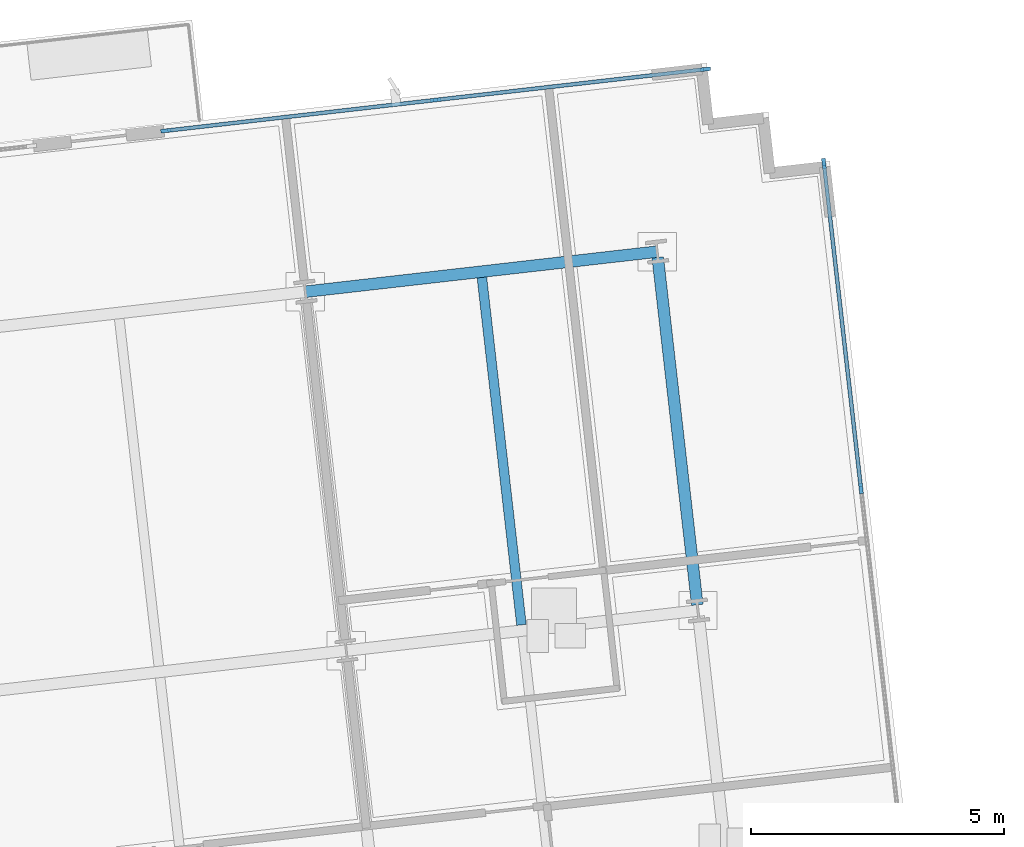
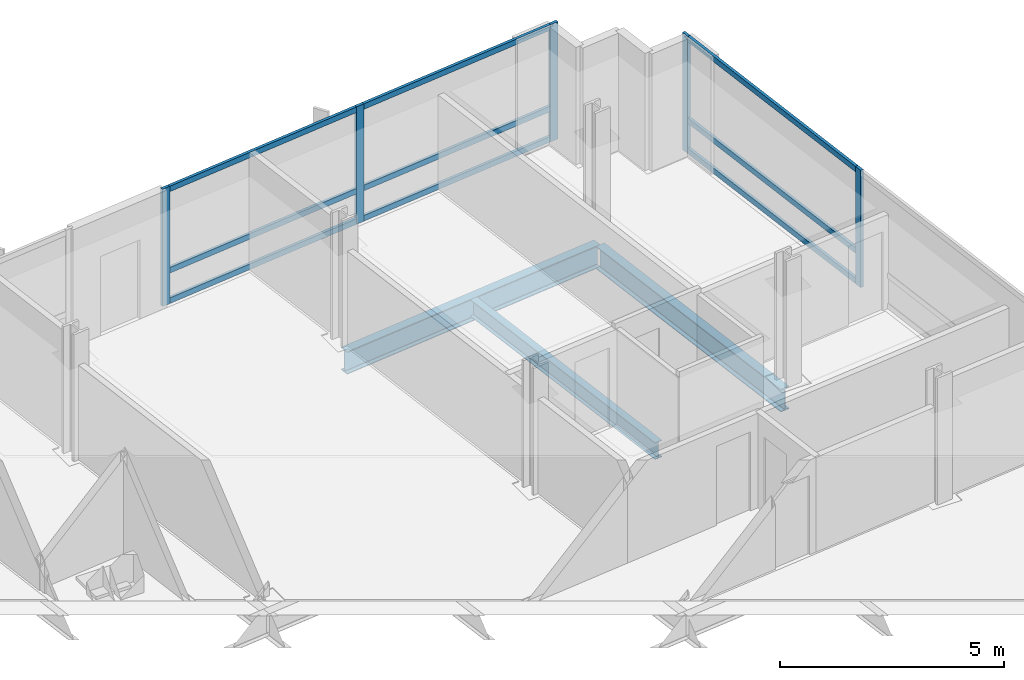
# One storey, part 6 of 16: 14 members, 3 beams, 2 elements without a shape of their own.
"""IFC4 building model written with IfcOpenShell, lengths in metres."""

from ifc_helpers import new_model, si_unit, direction, frame, origin, origin_2d, place, context, subcontext, project, spatial, rectangle, i_section, extrude, material, material_profile, profile_set, type_object, element, aggregate, save


model = new_model("IFC4")

# Units and contexts
model_context = context("Model", 3, precision=1e-05, world=origin(), true_north=direction((0.0, 1.0)))
body_context = subcontext(model_context, "Body", "Model", "MODEL_VIEW")
ifc_project = project(units=[si_unit("LENGTHUNIT", "METRE"), si_unit("AREAUNIT", "SQUARE_METRE"), si_unit("VOLUMEUNIT", "CUBIC_METRE"), si_unit("PLANEANGLEUNIT", "RADIAN"), si_unit("MASSUNIT", "GRAM", prefix="KILO")], contexts=[model_context])

# Site, building, storey
site_placement = place(None, origin())
site = spatial("IfcSite", under=ifc_project, at=site_placement, CompositionType="ELEMENT")
building_placement = place(site_placement, origin())
building = spatial("IfcBuilding", under=site, at=building_placement, Name="Solmavex Isthmus Hotel", CompositionType="ELEMENT")
storey_placement = place(building_placement, frame((0.0, 0.0, 208.949951171875)))
storey = spatial("IfcBuildingStorey", under=building, at=storey_placement, Name="L56", CompositionType="ELEMENT", Elevation=208.949951171875)

# Beams
ifc_material_1 = material(Name="Steel ASTM A992 Grade 50", Category="steel")
ifc_material_profile_1 = material_profile(ifc_material_1, i_section(OverallWidth=0.1904296875, OverallDepth=0.456787109375, WebThickness=0.009033203125, FlangeThickness=0.014404296875, FilletRadius=0.0126953125, at=origin_2d()), Name="W18X50")
ifc_profile_set_1 = profile_set([ifc_material_profile_1], Name="Steel ASTM A992 Grade 50")
beam_type_1 = type_object("IfcBeamType", Name="BM-BJ-W18X50", PredefinedType="JOIST", material=ifc_profile_set_1)
beam_1_placement = place(storey_placement, frame((21.587646484375, 11.7939453125, -0.48828125), z_axis=(-0.113202453846, 0.993571942258, 0.0), x_axis=(-0.993571942258, -0.113202453846, 0.0)))
element("IfcBeam", 1, at=beam_1_placement, inside=storey, type_object=beam_type_1, Name="Secondary Floor Joist L56-J21", PredefinedType="JOIST", context=body_context, shape_type="SweptSolid", body=[
    extrude(i_section(OverallWidth=0.1904296875, OverallDepth=0.456787109375, WebThickness=0.009033203125, FlangeThickness=0.014404296875, FilletRadius=0.0126953125, at=origin_2d()), origin(), (0.0, 0.0, 1.0), 6.9228515625),
])
ifc_material_profile_2 = material_profile(ifc_material_1, i_section(OverallWidth=0.230224609375, OverallDepth=0.617431640625, WebThickness=0.01318359375, FlangeThickness=0.022216796875, FilletRadius=0.01513671875, at=origin_2d()), Name="W24X94")
ifc_profile_set_2 = profile_set([ifc_material_profile_2], Name="Steel ASTM A992 Grade 50")
beam_type_2 = type_object("IfcBeamType", Name="BM-SP-W24X94", PredefinedType="SPANDREL", material=ifc_profile_set_2)
beam_2_placement = place(storey_placement, frame((17.3095703125, 18.39013671875, -0.568603515625), z_axis=(0.99357359356, 0.113187959519, 0.0), x_axis=(-0.113187959519, 0.99357359356, 0.0)))
element("IfcBeam", 2, at=beam_2_placement, inside=storey, type_object=beam_type_2, Name="Floor Girder L56-UG23", PredefinedType="SPANDREL", context=body_context, shape_type="SweptSolid", body=[
    extrude(i_section(OverallWidth=0.230224609375, OverallDepth=0.617431640625, WebThickness=0.01318359375, FlangeThickness=0.022216796875, FilletRadius=0.01513671875, at=origin_2d()), origin(), (0.0, 0.0, 1.0), 7.0078125),
])
beam_3_placement = place(storey_placement, frame((25.0693359375, 12.1904296875, -0.568603515625), z_axis=(-0.113202453846, 0.993571942258, 0.0), x_axis=(-0.993571942258, -0.113202453846, 0.0)))
element("IfcBeam", 3, at=beam_3_placement, inside=storey, type_object=beam_type_2, Name="Floor Beam L56-VG45", PredefinedType="SPANDREL", context=body_context, shape_type="SweptSolid", body=[
    extrude(i_section(OverallWidth=0.230224609375, OverallDepth=0.617431640625, WebThickness=0.01318359375, FlangeThickness=0.022216796875, FilletRadius=0.01513671875, at=origin_2d()), origin(), (0.0, 0.0, 1.0), 6.9228515625),
])

# Curtain wall, members
ifc_material_2 = material(Name="Aluminium alloy 6063-T6", Category="aluminium")
curtain_wall_type = type_object("IfcCurtainWallType", Name="CW-SYS-04", PredefinedType="NOTDEFINED", material=ifc_material_2)
curtain_wall_1_placement = place(storey_placement, origin())
curtain_wall_1 = element("IfcCurtainWall", 4, at=curtain_wall_1_placement, inside=storey, type_object=curtain_wall_type, Name="Stick Curtain Wall CWL-L56-N3", PredefinedType="NOTDEFINED")
ifc_material_profile_3 = material_profile(ifc_material_2, rectangle(XDim=0.074951171875, YDim=0.199951171875, at=origin_2d()), Name="CWM-75X200")
ifc_profile_set_3 = profile_set([ifc_material_profile_3], Name="Aluminium alloy 6063-T6")
member_type_1 = type_object("IfcMemberType", Name="CW-SYS-04-MUL", PredefinedType="MULLION", material=ifc_profile_set_3)
member_1_placement = place(storey_placement, frame((14.54541015625, 21.57763671875, 0.0), z_axis=(0.0, 0.0, 1.0), x_axis=(-0.113203726319, 0.993571797279, 0.0)))
member_1 = element("IfcMember", 5, at=member_1_placement, type_object=member_type_1, Name="CW-04 mullion 1", PredefinedType="MULLION", context=body_context, shape_type="SweptSolid", body=[
    extrude(rectangle(XDim=0.074951171875, YDim=0.199951171875, at=origin_2d()), origin(), (0.0, 0.0, 1.0), 3.18994140625),
])
member_2_placement = place(storey_placement, frame((19.888916015625, 22.1865234375, 0.0), z_axis=(0.0, 0.0, 1.0), x_axis=(-0.113203726319, 0.993571797279, 0.0)))
member_2 = element("IfcMember", 6, at=member_2_placement, type_object=member_type_1, Name="CW-04 mullion 2", PredefinedType="MULLION", context=body_context, shape_type="SweptSolid", body=[
    extrude(rectangle(XDim=0.074951171875, YDim=0.199951171875, at=origin_2d()), origin(), (0.0, 0.0, 1.0), 3.18994140625),
])
member_3_placement = place(storey_placement, frame((25.232177734375, 22.795166015625, 0.0), z_axis=(0.0, 0.0, 1.0), x_axis=(-0.113203726319, 0.993571797279, 0.0)))
member_3 = element("IfcMember", 7, at=member_3_placement, type_object=member_type_1, Name="CW-04 mullion 3", PredefinedType="MULLION", context=body_context, shape_type="SweptSolid", body=[
    extrude(rectangle(XDim=0.074951171875, YDim=0.199951171875, at=origin_2d()), origin(), (0.0, 0.0, 1.0), 3.18994140625),
])

curtain_wall_2_placement = place(storey_placement, origin())
curtain_wall_2 = element("IfcCurtainWall", 8, at=curtain_wall_2_placement, inside=storey, type_object=curtain_wall_type, Name="Stick Curtain Wall CWL-L56-E1", PredefinedType="NOTDEFINED")
member_4_placement = place(storey_placement, frame((28.309814453125, 14.490234375, 0.0), z_axis=(0.0, 0.0, 1.0), x_axis=(-0.993571836648, -0.11320338078, 0.0)))
member_4 = element("IfcMember", 9, at=member_4_placement, type_object=member_type_1, Name="CW-04 mullion 5", PredefinedType="MULLION", context=body_context, shape_type="SweptSolid", body=[
    extrude(rectangle(XDim=0.074951171875, YDim=0.199951171875, at=origin_2d()), origin(), (0.0, 0.0, 1.0), 3.18994140625),
])
member_5_placement = place(storey_placement, frame((27.575927734375, 20.93115234375, 0.0), z_axis=(0.0, 0.0, 1.0), x_axis=(-0.993571836648, -0.11320338078, 0.0)))
member_5 = element("IfcMember", 10, at=member_5_placement, type_object=member_type_1, Name="CW-04 mullion 6", PredefinedType="MULLION", context=body_context, shape_type="SweptSolid", body=[
    extrude(rectangle(XDim=0.074951171875, YDim=0.199951171875, at=origin_2d()), origin(), (0.0, 0.0, 1.0), 3.18994140625),
])

# Member
ifc_material_profile_4 = material_profile(ifc_material_2, rectangle(XDim=0.074951171875, YDim=0.14990234375, at=origin_2d()), Name="CWT-75X150")
ifc_profile_set_4 = profile_set([ifc_material_profile_4], Name="Aluminium alloy 6063-T6")
member_type_2 = type_object("IfcMemberType", Name="CW-SYS-04-TRN", PredefinedType="USERDEFINED", material=ifc_profile_set_4)
member_6_placement = place(storey_placement, frame((14.582763671875, 21.581787109375, 0.074951171875), z_axis=(0.993571049718, 0.113210287348, 0.0), x_axis=(-0.113210287348, 0.993571049718, 0.0)))
member_6 = element("IfcMember", 11, at=member_6_placement, type_object=member_type_2, Name="CW-04 transom 1.1", ObjectType="TRANSOM", PredefinedType="USERDEFINED", context=body_context, shape_type="SweptSolid", body=[
    extrude(rectangle(XDim=0.074951171875, YDim=0.14990234375, at=origin_2d()), origin(), (0.0, 0.0, 1.0), 5.302978515625),
])

member_7_placement = place(storey_placement, frame((14.582763671875, 21.581787109375, 0.900146484375), z_axis=(0.993571049718, 0.113210287348, 0.0), x_axis=(-0.113210287348, 0.993571049718, 0.0)))
member_7 = element("IfcMember", 12, at=member_7_placement, type_object=member_type_2, Name="CW-04 transom 1.2", ObjectType="TRANSOM", PredefinedType="USERDEFINED", context=body_context, shape_type="SweptSolid", body=[
    extrude(rectangle(XDim=0.074951171875, YDim=0.14990234375, at=origin_2d()), origin(), (0.0, 0.0, 1.0), 5.302978515625),
])

member_8_placement = place(storey_placement, frame((14.582763671875, 21.581787109375, 3.114990234375), z_axis=(0.993571049718, 0.113210287348, 0.0), x_axis=(-0.113210287348, 0.993571049718, 0.0)))
member_8 = element("IfcMember", 13, at=member_8_placement, type_object=member_type_2, Name="CW-04 transom 1.3", ObjectType="TRANSOM", PredefinedType="USERDEFINED", context=body_context, shape_type="SweptSolid", body=[
    extrude(rectangle(XDim=0.074951171875, YDim=0.14990234375, at=origin_2d()), origin(), (0.0, 0.0, 1.0), 5.302978515625),
])

member_9_placement = place(storey_placement, frame((19.926025390625, 22.190673828125, 0.074951171875), z_axis=(0.993571639742, 0.113205108986, 0.0), x_axis=(-0.113205108986, 0.993571639742, 0.0)))
member_9 = element("IfcMember", 14, at=member_9_placement, type_object=member_type_2, Name="CW-04 transom 2.1", ObjectType="TRANSOM", PredefinedType="USERDEFINED", context=body_context, shape_type="SweptSolid", body=[
    extrude(rectangle(XDim=0.074951171875, YDim=0.14990234375, at=origin_2d()), origin(), (0.0, 0.0, 1.0), 5.30322265625),
])

member_10_placement = place(storey_placement, frame((19.926025390625, 22.190673828125, 0.900146484375), z_axis=(0.993571639742, 0.113205108986, 0.0), x_axis=(-0.113205108986, 0.993571639742, 0.0)))
member_10 = element("IfcMember", 15, at=member_10_placement, type_object=member_type_2, Name="CW-04 transom 2.2", ObjectType="TRANSOM", PredefinedType="USERDEFINED", context=body_context, shape_type="SweptSolid", body=[
    extrude(rectangle(XDim=0.074951171875, YDim=0.14990234375, at=origin_2d()), origin(), (0.0, 0.0, 1.0), 5.30322265625),
])

member_11_placement = place(storey_placement, frame((19.926025390625, 22.190673828125, 3.114990234375), z_axis=(0.993571639742, 0.113205108986, 0.0), x_axis=(-0.113205108986, 0.993571639742, 0.0)))
member_11 = element("IfcMember", 16, at=member_11_placement, type_object=member_type_2, Name="CW-04 transom 2.3", ObjectType="TRANSOM", PredefinedType="USERDEFINED", context=body_context, shape_type="SweptSolid", body=[
    extrude(rectangle(XDim=0.074951171875, YDim=0.14990234375, at=origin_2d()), origin(), (0.0, 0.0, 1.0), 5.30322265625),
])

aggregate(curtain_wall_1, [member_1, member_2, member_3, member_6, member_7, member_8, member_9, member_10, member_11])

member_12_placement = place(storey_placement, frame((28.305419921875, 14.527587890625, 0.074951171875), z_axis=(-0.113203780919, 0.993571791058, 0.0), x_axis=(-0.993571791058, -0.113203780919, 0.0)))
member_12 = element("IfcMember", 17, at=member_12_placement, type_object=member_type_2, Name="CW-04 transom 5.1", ObjectType="TRANSOM", PredefinedType="USERDEFINED", context=body_context, shape_type="SweptSolid", body=[
    extrude(rectangle(XDim=0.074951171875, YDim=0.14990234375, at=origin_2d()), origin(), (0.0, 0.0, 1.0), 6.407470703125),
])

member_13_placement = place(storey_placement, frame((28.305419921875, 14.527587890625, 0.900146484375), z_axis=(-0.113203780919, 0.993571791058, 0.0), x_axis=(-0.993571791058, -0.113203780919, 0.0)))
member_13 = element("IfcMember", 18, at=member_13_placement, type_object=member_type_2, Name="CW-04 transom 5.2", ObjectType="TRANSOM", PredefinedType="USERDEFINED", context=body_context, shape_type="SweptSolid", body=[
    extrude(rectangle(XDim=0.074951171875, YDim=0.14990234375, at=origin_2d()), origin(), (0.0, 0.0, 1.0), 6.407470703125),
])

member_14_placement = place(storey_placement, frame((28.305419921875, 14.527587890625, 3.114990234375), z_axis=(-0.113203780919, 0.993571791058, 0.0), x_axis=(-0.993571791058, -0.113203780919, 0.0)))
member_14 = element("IfcMember", 19, at=member_14_placement, type_object=member_type_2, Name="CW-04 transom 5.3", ObjectType="TRANSOM", PredefinedType="USERDEFINED", context=body_context, shape_type="SweptSolid", body=[
    extrude(rectangle(XDim=0.074951171875, YDim=0.14990234375, at=origin_2d()), origin(), (0.0, 0.0, 1.0), 6.407470703125),
])

aggregate(curtain_wall_2, [member_4, member_5, member_12, member_13, member_14])

save(model, "model.ifc")
